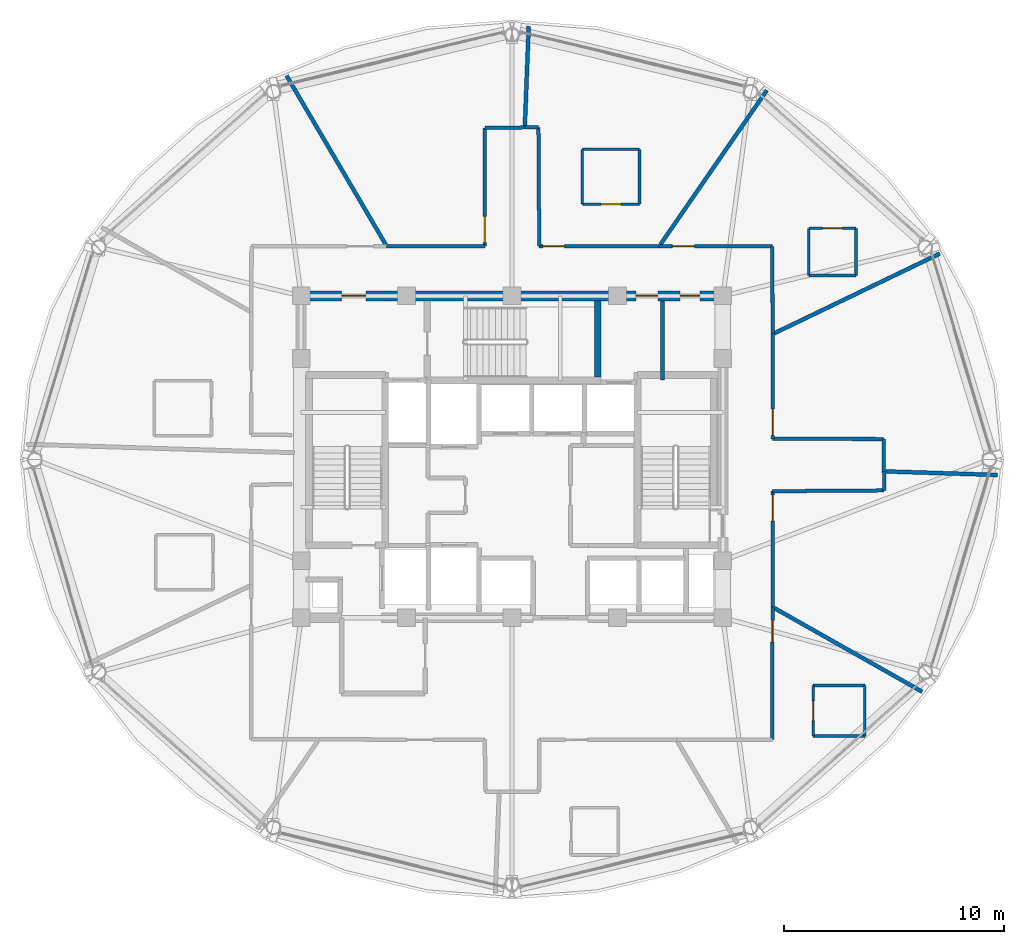
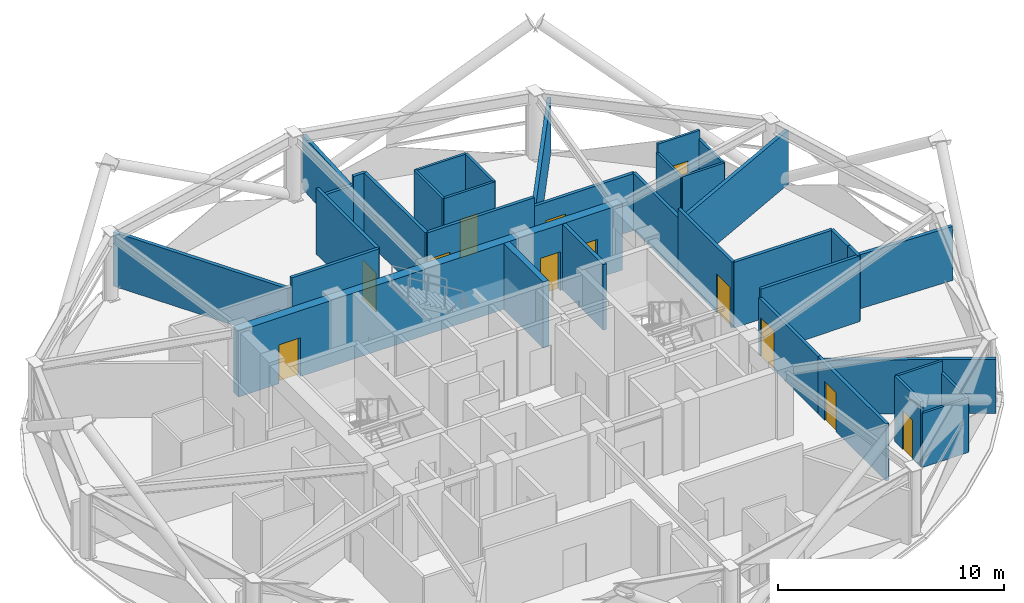
# One storey, part 24 of 29: 36 walls, 12 doors, 12 openings.
"""IFC4 building model written with IfcOpenShell, lengths in metres."""

import ifcopenshell
import ifcopenshell.guid

model = None  # the IFC model being written
_history = None  # IfcOwnerHistory: only IFC2X3 demands one
_inside = {}  # id of a spatial element -> (the spatial element, [elements in it])
_under = {}  # id of a project, library or spatial element -> (it, [spatial elements below it])
_declared = {}  # id of a project -> (the project, [libraries it declares])
_typed = {}  # id of a type object -> (the type object, [elements of that type])
_made_of = {}  # id of a material, layer set ... -> (it, [elements and type objects made of it])


def new_model(schema):
    """Start an empty IFC model of exactly this schema.

    Asked for "IFC4X3", IfcOpenShell would pick the latest addendum, in which some entities
    have other attributes; the version numbers below select the first issue.
    IFC2X3 requires an IfcOwnerHistory on every rooted entity: one is made here for all.
    """
    global model, _history
    if schema == "IFC4X3":
        model = ifcopenshell.file(schema_version=(4, 3, 0, 0))
    else:
        model = ifcopenshell.file(schema=schema)
    _inside.clear()
    _under.clear()
    _declared.clear()
    _typed.clear()
    _made_of.clear()
    _history = None
    if model.schema == "IFC2X3":
        org = make("IfcOrganization", Name="unknown")
        user = make(
            "IfcPersonAndOrganization",
            ThePerson=make("IfcPerson", FamilyName="unknown"),
            TheOrganization=org,
        )
        app = make(
            "IfcApplication",
            ApplicationDeveloper=org,
            Version="unknown",
            ApplicationFullName="unknown",
            ApplicationIdentifier="unknown",
        )
        _history = make(
            "IfcOwnerHistory",
            OwningUser=user,
            OwningApplication=app,
            ChangeAction="ADDED",
            CreationDate=0,
        )
    return model


def make(cls, **values):
    """One entity of the class cls with the attributes given. An attribute that is None is left unset."""
    return model.create_entity(
        cls, **{name: value for name, value in values.items() if value is not None}
    )


def rooted(cls, **values):
    """An entity with a GlobalId (a new one), such as an element, a storey or a relation."""
    return make(cls, GlobalId=ifcopenshell.guid.new(), OwnerHistory=_history, **values)


def si_unit(unit_type, name, prefix=None):
    """IfcSIUnit, for example si_unit("LENGTHUNIT", "METRE", prefix="MILLI")."""
    return make("IfcSIUnit", UnitType=unit_type, Prefix=prefix, Name=name)


def assignment(units):
    """IfcUnitAssignment: the units of a project."""
    return None if units is None else make("IfcUnitAssignment", Units=units)


def point(xyz):
    """IfcCartesianPoint."""
    return None if xyz is None else make("IfcCartesianPoint", Coordinates=xyz)


def direction(xyz):
    """IfcDirection."""
    return None if xyz is None else make("IfcDirection", DirectionRatios=xyz)


def frame(location, z_axis=None, x_axis=None):
    """IfcAxis2Placement3D, a coordinate frame: its origin and axes. An axis left out is left unset."""
    return make(
        "IfcAxis2Placement3D",
        Location=point(location),
        Axis=direction(z_axis),
        RefDirection=direction(x_axis),
    )


def frame_2d(location, x_axis=None):
    """IfcAxis2Placement2D, a coordinate frame in the plane: its origin and x axis."""
    return make(
        "IfcAxis2Placement2D", Location=point(location), RefDirection=direction(x_axis)
    )


def origin():
    """The frame at (0, 0, 0) with its axes left unset."""
    return frame((0.0, 0.0, 0.0))


def place(relative_to, where):
    """IfcLocalPlacement: puts the frame where relative to a parent placement (None: the world)."""
    return make(
        "IfcLocalPlacement", PlacementRelTo=relative_to, RelativePlacement=where
    )


def context(
    kind, dimensions, precision=None, world=None, true_north=None, identifier=None
):
    """IfcGeometricRepresentationContext, for example the 3D "Model" context."""
    return make(
        "IfcGeometricRepresentationContext",
        ContextIdentifier=identifier,
        ContextType=kind,
        CoordinateSpaceDimension=dimensions,
        Precision=precision,
        WorldCoordinateSystem=world,
        TrueNorth=true_north,
    )


def subcontext(parent, identifier, kind, view, scale=None):
    """IfcGeometricRepresentationSubContext, for example "Body" below "Model"."""
    return make(
        "IfcGeometricRepresentationSubContext",
        ContextIdentifier=identifier,
        ContextType=kind,
        ParentContext=parent,
        TargetScale=scale,
        TargetView=view,
    )


def project(units=None, contexts=None):
    """IfcProject with its units and contexts."""
    return rooted(
        "IfcProject",
        Name="project",
        RepresentationContexts=contexts,
        UnitsInContext=assignment(units),
    )


def spatial(cls, under=None, at=None, **own):
    """A site, building, storey or space (cls), placed at a placement, below another one or the project."""
    s = rooted(cls, ObjectPlacement=at, **own)
    if under is not None:
        _under.setdefault(under.id(), (under, []))[1].append(s)
    return s


def profile(cls, at=None, kind="AREA", **sizes):
    """A parametric profile (cls). Its sizes go by their IFC names, for example OverallWidth=200.0."""
    return make(cls, ProfileType=kind, Position=at, **sizes)


def rectangle(**sizes):
    """IfcRectangleProfileDef."""
    return profile("IfcRectangleProfileDef", **sizes)


def extrude(swept, where, along, depth):
    """IfcExtrudedAreaSolid: the profile swept, set in the frame where, extruded along a direction by depth."""
    return make(
        "IfcExtrudedAreaSolid",
        SweptArea=swept,
        Position=where,
        ExtrudedDirection=direction(along),
        Depth=depth,
    )


def shape(context_of_items, identifier, shape_type, items):
    """IfcShapeRepresentation: the items that make up one representation, for example the "Body"."""
    return make(
        "IfcShapeRepresentation",
        ContextOfItems=context_of_items,
        RepresentationIdentifier=identifier,
        RepresentationType=shape_type,
        Items=items,
    )


def material(Name=None, Category=None):
    """IfcMaterial."""
    return make("IfcMaterial", Name=Name, Category=Category)


def layer(
    of_material, thickness, ventilated=None, Name=None, Category=None, Priority=None
):
    """IfcMaterialLayer: one layer of a wall or slab, of a material (None: an air gap)."""
    return make(
        "IfcMaterialLayer",
        Material=of_material,
        LayerThickness=thickness,
        IsVentilated=ventilated,
        Name=Name,
        Category=Category,
        Priority=Priority,
    )


def layer_set(layers, Name=None):
    """IfcMaterialLayerSet."""
    return make("IfcMaterialLayerSet", MaterialLayers=layers, LayerSetName=Name)


def made_of(thing, what):
    """Note that an element or type object is made of a material, layer set ...; save() writes the relation."""
    if what is not None:
        _made_of.setdefault(what.id(), (what, []))[1].append(thing)
    return thing


def type_object(cls, material=None, **own):
    """A type object (cls), such as IfcWallType, which elements share."""
    return made_of(rooted(cls, **own), material)


def element(
    cls,
    number,
    at=None,
    inside=None,
    cuts=None,
    type_object=None,
    material=None,
    context=None,
    identifier="Body",
    shape_type=None,
    held_by="IfcProductDefinitionShape",
    body=None,
    shapes=None,
    **own,
):
    """One element of the class cls, such as IfcWall. Its Tag is "e" and its number.

    at: its placement. inside: the storey or other place that contains it. cuts: it is an
    opening in that element (IfcRelVoidsElement). A single representation is given by context,
    identifier, shape_type and body (its items); several are given by shapes. held_by: the class
    of the entity that holds the representations. save() writes the other relations.
    """
    e = rooted(cls, Tag="e%d" % number, ObjectPlacement=at, **own)
    if body is not None:
        shapes = [shape(context, identifier, shape_type, body)]
    if shapes is not None:
        e.Representation = make(held_by, Representations=shapes)
    if inside is not None:
        _inside.setdefault(inside.id(), (inside, []))[1].append(e)
    if cuts is not None:
        rooted(
            "IfcRelVoidsElement", RelatingBuildingElement=cuts, RelatedOpeningElement=e
        )
    if type_object is not None:
        _typed.setdefault(type_object.id(), (type_object, []))[1].append(e)
    return made_of(e, material)


def fill(opening, filler):
    """IfcRelFillsElement: the door or window that sits in an opening."""
    return rooted(
        "IfcRelFillsElement",
        RelatingOpeningElement=opening,
        RelatedBuildingElement=filler,
    )


def aggregate(whole, parts):
    """IfcRelAggregates: a whole, such as a stair, and the parts it consists of."""
    return rooted("IfcRelAggregates", RelatingObject=whole, RelatedObjects=parts)


def save(model, path):
    """Write the relations noted so far, then the file.

    IfcRelAggregates (storeys below a building ...), IfcRelContainedInSpatialStructure (elements
    in a storey), IfcRelDefinesByType, IfcRelAssociatesMaterial and IfcRelDeclares: one each for
    every whole, place, type object, material and project.
    """
    for whole, parts in _under.values():
        aggregate(whole, parts)
    for where, things in _inside.values():
        rooted(
            "IfcRelContainedInSpatialStructure",
            RelatedElements=things,
            RelatingStructure=where,
        )
    for kind, things in _typed.values():
        rooted("IfcRelDefinesByType", RelatedObjects=things, RelatingType=kind)
    for what, things in _made_of.values():
        rooted("IfcRelAssociatesMaterial", RelatedObjects=things, RelatingMaterial=what)
    for by, libraries in _declared.values():
        rooted("IfcRelDeclares", RelatingContext=by, RelatedDefinitions=libraries)
    model.write(path)


model = new_model("IFC4")

# Units and contexts
model_context = context("Model", 3, precision=1e-05, world=origin(), true_north=direction((0.0, 1.0)))
body_context = subcontext(model_context, "Body", "Model", "MODEL_VIEW")
ifc_project = project(units=[si_unit("LENGTHUNIT", "METRE"), si_unit("AREAUNIT", "SQUARE_METRE"), si_unit("VOLUMEUNIT", "CUBIC_METRE"), si_unit("PLANEANGLEUNIT", "RADIAN"), si_unit("MASSUNIT", "GRAM", prefix="KILO")], contexts=[model_context])

# Site, building, storey
site_placement = place(None, origin())
site = spatial("IfcSite", under=ifc_project, at=site_placement, CompositionType="ELEMENT")
building_placement = place(site_placement, origin())
building = spatial("IfcBuilding", under=site, at=building_placement, Name="Vantalir Tower", CompositionType="ELEMENT")
storey_placement = place(building_placement, frame((0.0, 0.0, 234.89990234375)))
storey = spatial("IfcBuildingStorey", under=building, at=storey_placement, Name="L59", CompositionType="ELEMENT", Elevation=234.89990234375)

# Wall
ifc_material_1 = material(Name="Moisture-resistant en-suite partition", Category="gypsum")
ifc_layer_1 = layer(ifc_material_1, 0.125)
ifc_layer_set_1 = layer_set([ifc_layer_1], Name="Moisture-resistant en-suite partition")
wall_type_1 = type_object("IfcWallType", Name="WL-BATH-125", PredefinedType="PARTITIONING", material=ifc_layer_set_1)
wall_1_placement = place(storey_placement, frame((45.010009765625, 33.376953125, 0.0), z_axis=(0.0, 0.0, 1.0), x_axis=(1.0, 0.0, 0.0)))
element("IfcWall", 1, at=wall_1_placement, inside=storey, type_object=wall_type_1, Name="L59 En-suite 01 South Wall", PredefinedType="PARTITIONING", context=body_context, shape_type="SweptSolid", body=[
    extrude(rectangle(XDim=2.14990234375, YDim=0.125, at=frame_2d((1.074951171875, 0.0))), origin(), (0.0, 0.0, 1.0), 3.0810546875),
])

# Wall, opening, door
wall_2_placement = place(storey_placement, frame((45.010009765625, 35.527099609375, 0.0), z_axis=(0.0, 0.0, 1.0), x_axis=(1.0, 0.0, 0.0)))
wall_2 = element("IfcWall", 2, at=wall_2_placement, inside=storey, type_object=wall_type_1, Name="L59 En-suite 01 North Wall", PredefinedType="PARTITIONING", context=body_context, shape_type="SweptSolid", body=[
    extrude(rectangle(XDim=2.14990234375, YDim=0.125, at=frame_2d((1.074951171875, 0.0))), origin(), (0.0, 0.0, 1.0), 3.550048828125),
])
opening_1_placement = place(wall_2_placement, frame((0.625, 0.0, 0.0)))
opening_1 = element("IfcOpeningElement", 3, at=opening_1_placement, cuts=wall_2, Name="Opening D-WC", PredefinedType="OPENING", context=body_context, shape_type="SweptSolid", body=[
    extrude(rectangle(XDim=0.89990234375, YDim=2.10009765625, at=frame_2d((0.449951171875, 1.050048828125))), frame((0.0, 0.072509765625, 0.0), z_axis=(0.0, -1.0, 0.0), x_axis=(1.0, 0.0, 0.0)), (0.0, 0.0, 1.0), 0.14501953125),
])
ifc_material_2 = material(Name="Moisture-resistant hardwood door", Category="wood")
door_type_1 = type_object("IfcDoorType", Name="DR-ENSUITE-900", OperationType="NOTDEFINED", PredefinedType="DOOR", material=ifc_material_2)
door_1_placement = place(opening_1_placement, frame((0.89990234375, 0.0, 0.0), z_axis=(0.0, 0.0, 1.0), x_axis=(-1.0, 0.0, 0.0)))
door_1 = element("IfcDoor", 4, at=door_1_placement, inside=storey, type_object=door_type_1, Name="L59 En-suite 01 Door", OperationType="SINGLE_SWING_LEFT", OverallHeight=2.10009765625, OverallWidth=0.89990234375, PredefinedType="DOOR", context=body_context, shape_type="SweptSolid", body=[
    extrude(rectangle(XDim=0.89990234375, YDim=2.10009765625, at=frame_2d((0.449951171875, 1.050048828125))), frame((0.0, 0.02490234375, 0.0), z_axis=(0.0, -1.0, 0.0), x_axis=(1.0, 0.0, 0.0)), (0.0, 0.0, 1.0), 0.050048828125),
])
fill(opening_1, door_1)

# Walls
for number, where, z_axis, x_axis, name in (
    (5, (45.010009765625, 33.376953125, 0.0), (0.0, 0.0, 1.0), (0.0, 1.0, 0.0), "L59 En-suite 01 West Wall"),
    (6, (47.159912109375, 33.376953125, 0.0), (0.0, 0.0, 1.0), (0.0, 1.0, 0.0), "L59 En-suite 01 East Wall"),
):
    element("IfcWall", number, at=place(storey_placement, frame(where, z_axis=z_axis, x_axis=x_axis)), inside=storey, type_object=wall_type_1, Name=name, PredefinedType="PARTITIONING", context=body_context, shape_type="SweptSolid", body=[
        extrude(rectangle(XDim=2.150146484375, YDim=0.125, at=frame_2d((1.0751953125, 0.0))), origin(), (0.0, 0.0, 1.0), 3.0810546875),
    ])

# Wall, opening, door
wall_3_placement = place(storey_placement, frame((34.701904296875, 36.623046875, 0.0), z_axis=(0.0, 0.0, 1.0), x_axis=(1.0, 0.0, 0.0)))
wall_3 = element("IfcWall", 7, at=wall_3_placement, inside=storey, type_object=wall_type_1, Name="L59 En-suite 02 South Wall", PredefinedType="PARTITIONING", context=body_context, shape_type="SweptSolid", body=[
    extrude(rectangle(XDim=2.60009765625, YDim=0.125, at=frame_2d((1.300048828125, 0.0))), origin(), (0.0, 0.0, 1.0), 3.550048828125),
])
opening_2_placement = place(wall_3_placement, frame((0.85009765625, 0.0, 0.0)))
opening_2 = element("IfcOpeningElement", 8, at=opening_2_placement, cuts=wall_3, Name="Opening D-WC", PredefinedType="OPENING", context=body_context, shape_type="SweptSolid", body=[
    extrude(rectangle(XDim=0.89990234375, YDim=2.10009765625, at=frame_2d((0.449951171875, 1.050048828125))), frame((0.0, 0.072509765625, 0.0), z_axis=(0.0, -1.0, 0.0), x_axis=(1.0, 0.0, 0.0)), (0.0, 0.0, 1.0), 0.14501953125),
])
door_2_placement = place(opening_2_placement, origin())
door_2 = element("IfcDoor", 9, at=door_2_placement, inside=storey, type_object=door_type_1, Name="L59 En-suite 02 Door", OperationType="SINGLE_SWING_RIGHT", OverallHeight=2.10009765625, OverallWidth=0.89990234375, PredefinedType="DOOR", context=body_context, shape_type="SweptSolid", body=[
    extrude(rectangle(XDim=0.89990234375, YDim=2.10009765625, at=frame_2d((0.449951171875, 1.050048828125))), frame((0.0, 0.02490234375, 0.0), z_axis=(0.0, -1.0, 0.0), x_axis=(1.0, 0.0, 0.0)), (0.0, 0.0, 1.0), 0.050048828125),
])
fill(opening_2, door_2)

# Walls
wall_4_placement = place(storey_placement, frame((34.701904296875, 39.123046875, 0.0), z_axis=(0.0, 0.0, 1.0), x_axis=(1.0, 0.0, 0.0)))
element("IfcWall", 10, at=wall_4_placement, inside=storey, type_object=wall_type_1, Name="L59 En-suite 02 North Wall", PredefinedType="PARTITIONING", context=body_context, shape_type="SweptSolid", body=[
    extrude(rectangle(XDim=2.60009765625, YDim=0.125, at=frame_2d((1.300048828125, 0.0))), origin(), (0.0, 0.0, 1.0), 3.550048828125),
])
for number, where, z_axis, x_axis, name in (
    (11, (34.701904296875, 36.623046875, 0.0), (0.0, 0.0, 1.0), (0.0, 1.0, 0.0), "L59 En-suite 02 West Wall"),
    (12, (37.302001953125, 36.623046875, 0.0), (0.0, 0.0, 1.0), (0.0, 1.0, 0.0), "L59 En-suite 02 East Wall"),
):
    element("IfcWall", number, at=place(storey_placement, frame(where, z_axis=z_axis, x_axis=x_axis)), inside=storey, type_object=wall_type_1, Name=name, PredefinedType="PARTITIONING", context=body_context, shape_type="SweptSolid", body=[
        extrude(rectangle(XDim=2.5, YDim=0.125, at=frame_2d((1.25, 0.0))), origin(), (0.0, 0.0, 1.0), 3.550048828125),
    ])
wall_5_placement = place(storey_placement, frame((45.2060546875, 12.423095703125, 0.0), z_axis=(0.0, 0.0, 1.0), x_axis=(1.0, 0.0, 0.0)))
element("IfcWall", 13, at=wall_5_placement, inside=storey, type_object=wall_type_1, Name="L59 En-suite 10 South Wall", PredefinedType="PARTITIONING", context=body_context, shape_type="SweptSolid", body=[
    extrude(rectangle(XDim=2.349853515625, YDim=0.125, at=frame_2d((1.1748046875, 0.0))), origin(), (0.0, 0.0, 1.0), 2.925048828125),
])
wall_6_placement = place(storey_placement, frame((45.2060546875, 14.722900390625, 0.0), z_axis=(0.0, 0.0, 1.0), x_axis=(1.0, 0.0, 0.0)))
element("IfcWall", 14, at=wall_6_placement, inside=storey, type_object=wall_type_1, Name="L59 En-suite 10 North Wall", PredefinedType="PARTITIONING", context=body_context, shape_type="SweptSolid", body=[
    extrude(rectangle(XDim=2.349853515625, YDim=0.125, at=frame_2d((1.1748046875, 0.0))), origin(), (0.0, 0.0, 1.0), 3.550048828125),
])

# Wall, opening, door
wall_7_placement = place(storey_placement, frame((45.2060546875, 12.423095703125, 0.0), z_axis=(0.0, 0.0, 1.0), x_axis=(0.0, 1.0, 0.0)))
wall_7 = element("IfcWall", 15, at=wall_7_placement, inside=storey, type_object=wall_type_1, Name="L59 En-suite 10 West Wall", PredefinedType="PARTITIONING", context=body_context, shape_type="SweptSolid", body=[
    extrude(rectangle(XDim=2.2998046875, YDim=0.125, at=frame_2d((1.14990234375, 0.0))), origin(), (0.0, 0.0, 1.0), 3.550048828125),
])
opening_3_placement = place(wall_7_placement, frame((0.699951171875, 0.0, 0.0)))
opening_3 = element("IfcOpeningElement", 16, at=opening_3_placement, cuts=wall_7, Name="Opening D-WC", PredefinedType="OPENING", context=body_context, shape_type="SweptSolid", body=[
    extrude(rectangle(XDim=0.89990234375, YDim=2.10009765625, at=frame_2d((0.449951171875, 1.050048828125))), frame((0.0, 0.072509765625, 0.0), z_axis=(0.0, -1.0, 0.0), x_axis=(1.0, 0.0, 0.0)), (0.0, 0.0, 1.0), 0.14501953125),
])
door_3_placement = place(opening_3_placement, frame((0.89990234375, 0.0, 0.0), z_axis=(0.0, 0.0, 1.0), x_axis=(-1.0, 0.0, 0.0)))
door_3 = element("IfcDoor", 17, at=door_3_placement, inside=storey, type_object=door_type_1, Name="L59 En-suite 10 Door", OperationType="SINGLE_SWING_RIGHT", OverallHeight=2.10009765625, OverallWidth=0.89990234375, PredefinedType="DOOR", context=body_context, shape_type="SweptSolid", body=[
    extrude(rectangle(XDim=0.89990234375, YDim=2.10009765625, at=frame_2d((0.449951171875, 1.050048828125))), frame((0.0, 0.02490234375, 0.0), z_axis=(0.0, -1.0, 0.0), x_axis=(1.0, 0.0, 0.0)), (0.0, 0.0, 1.0), 0.050048828125),
])
fill(opening_3, door_3)

# Wall
wall_8_placement = place(storey_placement, frame((47.555908203125, 12.423095703125, 0.0), z_axis=(0.0, 0.0, 1.0), x_axis=(0.0, 1.0, 0.0)))
element("IfcWall", 18, at=wall_8_placement, inside=storey, type_object=wall_type_1, Name="L59 En-suite 10 East Wall", PredefinedType="PARTITIONING", context=body_context, shape_type="SweptSolid", body=[
    extrude(rectangle(XDim=2.2998046875, YDim=0.125, at=frame_2d((1.14990234375, 0.0))), origin(), (0.0, 0.0, 1.0), 2.925048828125),
])

# Wall, openings, doors
ifc_material_3 = material(Name="Concrete C50/60", Category="concrete")
ifc_layer_2 = layer(ifc_material_3, 0.449951171875)
ifc_layer_set_2 = layer_set([ifc_layer_2], Name="Concrete C50/60")
wall_type_2 = type_object("IfcWallType", Name="WL-CORE-450", PredefinedType="SHEAR", material=ifc_layer_set_2)
wall_9_placement = place(storey_placement, frame((21.675048828125, 32.449951171875, 0.0), z_axis=(0.0, 0.0, 1.0), x_axis=(1.0, 0.0, 0.0)))
wall_9 = element("IfcWall", 19, at=wall_9_placement, inside=storey, type_object=wall_type_2, Name="L59 Core Shear Wall North", PredefinedType="SHEAR", context=body_context, shape_type="SweptSolid", body=[
    extrude(rectangle(XDim=19.64990234375, YDim=0.449951171875, at=frame_2d((9.824951171875, 0.0))), origin(), (0.0, 0.0, 1.0), 3.570068359375),
])
opening_4_placement = place(wall_9_placement, frame((2.074951171875, 0.0, 0.0)))
opening_4 = element("IfcOpeningElement", 20, at=opening_4_placement, cuts=wall_9, Name="Opening D-FFL", PredefinedType="OPENING", context=body_context, shape_type="SweptSolid", body=[
    extrude(rectangle(XDim=1.10009765625, YDim=2.10009765625, at=frame_2d((0.550048828125, 1.050048828125))), frame((0.0, 0.23486328125, 0.0), z_axis=(0.0, -1.0, 0.0), x_axis=(1.0, 0.0, 0.0)), (0.0, 0.0, 1.0), 0.469970703125),
])
opening_5_placement = place(wall_9_placement, frame((15.465087890625, 0.0, 0.0)))
opening_5 = element("IfcOpeningElement", 21, at=opening_5_placement, cuts=wall_9, Name="Opening D-GUEST", PredefinedType="OPENING", context=body_context, shape_type="SweptSolid", body=[
    extrude(rectangle(XDim=1.0, YDim=2.10009765625, at=frame_2d((0.5, 1.050048828125))), frame((0.0, 0.23486328125, 0.0), z_axis=(0.0, -1.0, 0.0), x_axis=(1.0, 0.0, 0.0)), (0.0, 0.0, 1.0), 0.469970703125),
])
opening_6_placement = place(wall_9_placement, frame((17.47509765625, 0.0, 0.0)))
opening_6 = element("IfcOpeningElement", 22, at=opening_6_placement, cuts=wall_9, Name="Opening D-CR", PredefinedType="OPENING", context=body_context, shape_type="SweptSolid", body=[
    extrude(rectangle(XDim=0.89990234375, YDim=2.10009765625, at=frame_2d((0.449951171875, 1.050048828125))), frame((0.0, 0.23486328125, 0.0), z_axis=(0.0, -1.0, 0.0), x_axis=(1.0, 0.0, 0.0)), (0.0, 0.0, 1.0), 0.469970703125),
])
ifc_material_4 = material(Name="Fire-rated steel core service door", Category="steel")
door_type_2 = type_object("IfcDoorType", Name="DR-CORE-SERV-900", OperationType="NOTDEFINED", PredefinedType="DOOR", material=ifc_material_4)
door_4_placement = place(opening_6_placement, frame((0.89990234375, 0.0, 0.0), z_axis=(0.0, 0.0, 1.0), x_axis=(-1.0, 0.0, 0.0)))
door_4 = element("IfcDoor", 23, at=door_4_placement, inside=storey, type_object=door_type_2, Name="L59 Housekeeping and Linen Room Door", OperationType="SINGLE_SWING_RIGHT", OverallHeight=2.10009765625, OverallWidth=0.89990234375, PredefinedType="DOOR", context=body_context, shape_type="SweptSolid", body=[
    extrude(rectangle(XDim=0.89990234375, YDim=2.10009765625, at=frame_2d((0.449951171875, 1.050048828125))), frame((0.0, 0.02490234375, 0.0), z_axis=(0.0, -1.0, 0.0), x_axis=(1.0, 0.0, 0.0)), (0.0, 0.0, 1.0), 0.050048828125),
])
fill(opening_6, door_4)
ifc_material_5 = material(Name="Fire-rated acoustic steel door", Category="steel")
door_type_3 = type_object("IfcDoorType", Name="DR-FIRE-LOBBY-1100", OperationType="NOTDEFINED", PredefinedType="DOOR", material=ifc_material_5)
door_5_placement = place(opening_4_placement, frame((1.10009765625, 0.0, 0.0), z_axis=(0.0, 0.0, 1.0), x_axis=(-1.0, 0.0, 0.0)))
door_5 = element("IfcDoor", 24, at=door_5_placement, inside=storey, type_object=door_type_3, Name="L59 Firefighting Lobby East Access Door", OperationType="SINGLE_SWING_LEFT", OverallHeight=2.10009765625, OverallWidth=1.10009765625, PredefinedType="DOOR", context=body_context, shape_type="SweptSolid", body=[
    extrude(rectangle(XDim=1.10009765625, YDim=2.10009765625, at=frame_2d((0.550048828125, 1.050048828125))), frame((0.0, 0.02490234375, 0.0), z_axis=(0.0, -1.0, 0.0), x_axis=(1.0, 0.0, 0.0)), (0.0, 0.0, 1.0), 0.050048828125),
])
fill(opening_4, door_5)
ifc_material_6 = material(Name="Solid-core teak veneer acoustic fire door", Category="wood")
door_type_4 = type_object("IfcDoorType", Name="DR-GUEST-ENTRY-1000", OperationType="NOTDEFINED", PredefinedType="DOOR", material=ifc_material_6)
door_6_placement = place(opening_5_placement, frame((1.0, 0.0, 0.0), z_axis=(0.0, 0.0, 1.0), x_axis=(-1.0, 0.0, 0.0)))
door_6 = element("IfcDoor", 25, at=door_6_placement, inside=storey, type_object=door_type_4, Name="L59 High-Rise Lift Lobby Door", OperationType="SINGLE_SWING_LEFT", OverallHeight=2.10009765625, OverallWidth=1.0, PredefinedType="DOOR", context=body_context, shape_type="SweptSolid", body=[
    extrude(rectangle(XDim=1.0, YDim=2.10009765625, at=frame_2d((0.5, 1.050048828125))), frame((0.0, 0.02490234375, 0.0), z_axis=(0.0, -1.0, 0.0), x_axis=(1.0, 0.0, 0.0)), (0.0, 0.0, 1.0), 0.050048828125),
])
fill(opening_5, door_6)

# Wall
ifc_material_7 = material(Name="Fire-rated hotel corridor acoustic partition", Category="gypsum")
ifc_layer_3 = layer(ifc_material_7, 0.159912109375)
ifc_layer_set_3 = layer_set([ifc_layer_3], Name="Fire-rated hotel corridor acoustic partition")
wall_type_3 = type_object("IfcWallType", Name="WL-CORR-160", PredefinedType="PARTITIONING", material=ifc_layer_set_3)
wall_10_placement = place(storey_placement, frame((25.799072265625, 34.708984375, 0.0), z_axis=(0.0, 0.0, 1.0), x_axis=(0.999999063997, 0.00136821238, 0.0)))
element("IfcWall", 26, at=wall_10_placement, inside=storey, type_object=wall_type_3, Name="L59 Corridor Partition 05", PredefinedType="PARTITIONING", context=body_context, shape_type="SweptSolid", body=[
    extrude(rectangle(XDim=4.4609375, YDim=0.159912109375, at=frame_2d((2.23046875, 0.0))), origin(), (0.0, 0.0, 1.0), 3.550048828125),
])

# Wall, opening, door
wall_11_placement = place(storey_placement, frame((30.260009765625, 34.715087890625, 0.0), z_axis=(0.0, 0.0, 1.0), x_axis=(0.000544266973, 0.999999851887, 0.0)))
wall_11 = element("IfcWall", 27, at=wall_11_placement, inside=storey, type_object=wall_type_3, Name="L59 Corridor Partition 06", PredefinedType="PARTITIONING", context=body_context, shape_type="SweptSolid", body=[
    extrude(rectangle(XDim=5.3828125, YDim=0.159912109375, at=frame_2d((2.69140625, 0.0))), origin(), (0.0, 0.0, 1.0), 3.550048828125),
])
opening_7_placement = place(wall_11_placement, frame((0.159912109375, 0.0, 0.0)))
opening_7 = element("IfcOpeningElement", 28, at=opening_7_placement, cuts=wall_11, Name="Opening D-STE", PredefinedType="OPENING", context=body_context, shape_type="SweptSolid", body=[
    extrude(rectangle(XDim=1.199951171875, YDim=2.10009765625, at=frame_2d((0.60009765625, 1.050048828125))), frame((0.0, 0.08984375, 0.0), z_axis=(0.0, -1.0, 0.0), x_axis=(1.0, 0.0, 0.0)), (0.0, 0.0, 1.0), 0.179931640625),
])
ifc_material_8 = material(Name="Solid-core teak veneer suite entrance door", Category="wood")
door_type_5 = type_object("IfcDoorType", Name="DR-SUITE-ENTRY-1200", OperationType="NOTDEFINED", PredefinedType="DOOR", material=ifc_material_8)
door_7_placement = place(opening_7_placement, origin())
door_7 = element("IfcDoor", 29, at=door_7_placement, inside=storey, type_object=door_type_5, Name="L59 Club Reading Lounge 03 Door", OperationType="SINGLE_SWING_LEFT", OverallHeight=2.10009765625, OverallWidth=1.199951171875, PredefinedType="DOOR", context=body_context, shape_type="SweptSolid", body=[
    extrude(rectangle(XDim=1.199951171875, YDim=2.10009765625, at=frame_2d((0.60009765625, 1.050048828125))), frame((0.0, 0.02490234375, 0.0), z_axis=(0.0, -1.0, 0.0), x_axis=(1.0, 0.0, 0.0)), (0.0, 0.0, 1.0), 0.050048828125),
])
fill(opening_7, door_7)

# Walls
wall_12_placement = place(storey_placement, frame((30.262939453125, 40.097900390625, 0.0), z_axis=(0.0, 0.0, 1.0), x_axis=(0.999945269646, 0.010462204028, 0.0)))
element("IfcWall", 30, at=wall_12_placement, inside=storey, type_object=wall_type_3, Name="L59 Corridor Partition 07", PredefinedType="PARTITIONING", context=body_context, shape_type="SweptSolid", body=[
    extrude(rectangle(XDim=1.820068359375, YDim=0.159912109375, at=frame_2d((0.91015625, 0.0))), origin(), (0.0, 0.0, 1.0), 3.0810546875),
])
wall_13_placement = place(storey_placement, frame((32.0830078125, 40.116943359375, 0.0), z_axis=(0.0, 0.0, 1.0), x_axis=(0.9999517181, 0.009826569557, 0.0)))
element("IfcWall", 31, at=wall_13_placement, inside=storey, type_object=wall_type_3, Name="L59 Corridor Partition 08", PredefinedType="PARTITIONING", context=body_context, shape_type="SweptSolid", body=[
    extrude(rectangle(XDim=0.62109375, YDim=0.159912109375, at=frame_2d((0.310546875, 0.0))), origin(), (0.0, 0.0, 1.0), 3.550048828125),
])
wall_14_placement = place(storey_placement, frame((32.7041015625, 40.123046875, 0.0), z_axis=(0.0, 0.0, 1.0), x_axis=(0.006636123117, -0.999977980693, 0.0)))
element("IfcWall", 32, at=wall_14_placement, inside=storey, type_object=wall_type_3, Name="L59 Corridor Partition 09", PredefinedType="PARTITIONING", context=body_context, shape_type="SweptSolid", body=[
    extrude(rectangle(XDim=5.407958984375, YDim=0.159912109375, at=frame_2d((2.7041015625, 0.0))), origin(), (0.0, 0.0, 1.0), 3.550048828125),
])

# Wall, opening, door
wall_15_placement = place(storey_placement, frame((32.739990234375, 34.715087890625, 0.0), z_axis=(0.0, 0.0, 1.0), x_axis=(0.999999374963, -0.00111806728, 0.0)))
wall_15 = element("IfcWall", 33, at=wall_15_placement, inside=storey, type_object=wall_type_3, Name="L59 Corridor Partition 10", PredefinedType="PARTITIONING", context=body_context, shape_type="SweptSolid", body=[
    extrude(rectangle(XDim=5.458984375, YDim=0.159912109375, at=frame_2d((2.7294921875, 0.0))), origin(), (0.0, 0.0, 1.0), 3.550048828125),
])
opening_8_placement = place(wall_15_placement, frame((0.159912109375, 0.0, 0.0)))
opening_8 = element("IfcOpeningElement", 34, at=opening_8_placement, cuts=wall_15, Name="Opening D-GUEST", PredefinedType="OPENING", context=body_context, shape_type="SweptSolid", body=[
    extrude(rectangle(XDim=1.0, YDim=2.10009765625, at=frame_2d((0.5, 1.050048828125))), frame((0.0, 0.08984375, 0.0), z_axis=(0.0, -1.0, 0.0), x_axis=(1.0, 0.0, 0.0)), (0.0, 0.0, 1.0), 0.179931640625),
])
door_8_placement = place(opening_8_placement, origin())
door_8 = element("IfcDoor", 35, at=door_8_placement, inside=storey, type_object=door_type_4, Name="L59 Deluxe King Hotel Room 02 Door", OperationType="SINGLE_SWING_RIGHT", OverallHeight=2.10009765625, OverallWidth=1.0, PredefinedType="DOOR", context=body_context, shape_type="SweptSolid", body=[
    extrude(rectangle(XDim=1.0, YDim=2.10009765625, at=frame_2d((0.5, 1.050048828125))), frame((0.0, 0.02490234375, 0.0), z_axis=(0.0, -1.0, 0.0), x_axis=(1.0, 0.0, 0.0)), (0.0, 0.0, 1.0), 0.050048828125),
])
fill(opening_8, door_8)

wall_16_placement = place(storey_placement, frame((38.198974609375, 34.708984375, 0.0), z_axis=(0.0, 0.0, 1.0), x_axis=(0.999999298816, -0.001184215929, 0.0)))
wall_16 = element("IfcWall", 36, at=wall_16_placement, inside=storey, type_object=wall_type_3, Name="L59 Corridor Partition 11", PredefinedType="PARTITIONING", context=body_context, shape_type="SweptSolid", body=[
    extrude(rectangle(XDim=5.154052734375, YDim=0.159912109375, at=frame_2d((2.5771484375, 0.0))), origin(), (0.0, 0.0, 1.0), 3.0810546875),
])
opening_9_placement = place(wall_16_placement, frame((0.60205078125, 0.0, 0.0)))
opening_9 = element("IfcOpeningElement", 37, at=opening_9_placement, cuts=wall_16, Name="Opening D-GUEST", PredefinedType="OPENING", context=body_context, shape_type="SweptSolid", body=[
    extrude(rectangle(XDim=1.0, YDim=2.10009765625, at=frame_2d((0.5, 1.050048828125))), frame((0.0, 0.08984375, 0.0), z_axis=(0.0, -1.0, 0.0), x_axis=(1.0, 0.0, 0.0)), (0.0, 0.0, 1.0), 0.179931640625),
])
door_9_placement = place(opening_9_placement, origin())
door_9 = element("IfcDoor", 38, at=door_9_placement, inside=storey, type_object=door_type_4, Name="L59 Twin Queen Hotel Room 01 Door", OperationType="SINGLE_SWING_LEFT", OverallHeight=2.10009765625, OverallWidth=1.0, PredefinedType="DOOR", context=body_context, shape_type="SweptSolid", body=[
    extrude(rectangle(XDim=1.0, YDim=2.10009765625, at=frame_2d((0.5, 1.050048828125))), frame((0.0, 0.02490234375, 0.0), z_axis=(0.0, -1.0, 0.0), x_axis=(1.0, 0.0, 0.0)), (0.0, 0.0, 1.0), 0.050048828125),
])
fill(opening_9, door_9)

# Wall
wall_17_placement = place(storey_placement, frame((43.35302734375, 34.702880859375, 0.0), z_axis=(0.0, 0.0, 1.0), x_axis=(0.00146743957, -0.99999892331, 0.0)))
element("IfcWall", 39, at=wall_17_placement, inside=storey, type_object=wall_type_3, Name="L59 Corridor Partition 12", PredefinedType="PARTITIONING", context=body_context, shape_type="SweptSolid", body=[
    extrude(rectangle(XDim=3.992919921875, YDim=0.159912109375, at=frame_2d((1.99658203125, 0.0))), origin(), (0.0, 0.0, 1.0), 3.0810546875),
])

# Wall, opening, door
wall_18_placement = place(storey_placement, frame((43.35888671875, 30.7099609375, 0.0), z_axis=(0.0, 0.0, 1.0), x_axis=(0.001279556737, -0.999999181367, 0.0)))
wall_18 = element("IfcWall", 40, at=wall_18_placement, inside=storey, type_object=wall_type_3, Name="L59 Corridor Partition 13", PredefinedType="PARTITIONING", context=body_context, shape_type="SweptSolid", body=[
    extrude(rectangle(XDim=4.77001953125, YDim=0.159912109375, at=frame_2d((2.385009765625, 0.0))), origin(), (0.0, 0.0, 1.0), 3.550048828125),
])
opening_10_placement = place(wall_18_placement, frame((3.409912109375, 0.0, 0.0)))
opening_10 = element("IfcOpeningElement", 41, at=opening_10_placement, cuts=wall_18, Name="Opening D-STE", PredefinedType="OPENING", context=body_context, shape_type="SweptSolid", body=[
    extrude(rectangle(XDim=1.199951171875, YDim=2.10009765625, at=frame_2d((0.60009765625, 1.050048828125))), frame((0.0, 0.08984375, 0.0), z_axis=(0.0, -1.0, 0.0), x_axis=(1.0, 0.0, 0.0)), (0.0, 0.0, 1.0), 0.179931640625),
])
door_10_placement = place(opening_10_placement, origin())
door_10 = element("IfcDoor", 42, at=door_10_placement, inside=storey, type_object=door_type_5, Name="L59 Executive Sky Boardroom 12 Door", OperationType="SINGLE_SWING_RIGHT", OverallHeight=2.10009765625, OverallWidth=1.199951171875, PredefinedType="DOOR", context=body_context, shape_type="SweptSolid", body=[
    extrude(rectangle(XDim=1.199951171875, YDim=2.10009765625, at=frame_2d((0.60009765625, 1.050048828125))), frame((0.0, 0.02490234375, 0.0), z_axis=(0.0, -1.0, 0.0), x_axis=(1.0, 0.0, 0.0)), (0.0, 0.0, 1.0), 0.050048828125),
])
fill(opening_10, door_10)

# Walls
wall_19_placement = place(storey_placement, frame((43.364990234375, 25.93994140625, 0.0), z_axis=(0.0, 0.0, 1.0), x_axis=(0.999999831724, -0.000580130432, 0.0)))
element("IfcWall", 43, at=wall_19_placement, inside=storey, type_object=wall_type_3, Name="L59 Corridor Partition 14", PredefinedType="PARTITIONING", context=body_context, shape_type="SweptSolid", body=[
    extrude(rectangle(XDim=5.050048828125, YDim=0.159912109375, at=frame_2d((2.52490234375, 0.0))), origin(), (0.0, 0.0, 1.0), 3.550048828125),
])
wall_20_placement = place(storey_placement, frame((48.4150390625, 25.93701171875, 0.0), z_axis=(0.0, 0.0, 1.0), x_axis=(0.010773450639, -0.999941964697, 0.0)))
element("IfcWall", 44, at=wall_20_placement, inside=storey, type_object=wall_type_3, Name="L59 Corridor Partition 15", PredefinedType="PARTITIONING", context=body_context, shape_type="SweptSolid", body=[
    extrude(rectangle(XDim=1.472900390625, YDim=0.159912109375, at=frame_2d((0.736328125, 0.0))), origin(), (0.0, 0.0, 1.0), 3.550048828125),
])
wall_21_placement = place(storey_placement, frame((48.430908203125, 24.464111328125, 0.0), z_axis=(0.0, 0.0, 1.0), x_axis=(0.010404386192, -0.999945872909, 0.0)))
element("IfcWall", 45, at=wall_21_placement, inside=storey, type_object=wall_type_3, Name="L59 Corridor Partition 16", PredefinedType="PARTITIONING", context=body_context, shape_type="SweptSolid", body=[
    extrude(rectangle(XDim=0.8681640625, YDim=0.159912109375, at=frame_2d((0.43408203125, 0.0))), origin(), (0.0, 0.0, 1.0), 3.550048828125),
])
wall_22_placement = place(storey_placement, frame((48.43994140625, 23.595947265625, 0.0), z_axis=(0.0, 0.0, 1.0), x_axis=(-0.999974996273, -0.007071550702, 0.0)))
element("IfcWall", 46, at=wall_22_placement, inside=storey, type_object=wall_type_3, Name="L59 Corridor Partition 17", PredefinedType="PARTITIONING", context=body_context, shape_type="SweptSolid", body=[
    extrude(rectangle(XDim=5.0751953125, YDim=0.159912109375, at=frame_2d((2.53759765625, 0.0))), origin(), (0.0, 0.0, 1.0), 3.550048828125),
])

# Wall, opening, door
wall_23_placement = place(storey_placement, frame((43.364990234375, 23.56005859375, 0.0), z_axis=(0.0, 0.0, 1.0), x_axis=(-0.001343462143, -0.999999097554, 0.0)))
wall_23 = element("IfcWall", 47, at=wall_23_placement, inside=storey, type_object=wall_type_3, Name="L59 Corridor Partition 18", PredefinedType="PARTITIONING", context=body_context, shape_type="SweptSolid", body=[
    extrude(rectangle(XDim=5.27001953125, YDim=0.159912109375, at=frame_2d((2.635009765625, 0.0))), origin(), (0.0, 0.0, 1.0), 3.0810546875),
])
opening_11_placement = place(wall_23_placement, frame((0.159912109375, 0.0, 0.0)))
opening_11 = element("IfcOpeningElement", 48, at=opening_11_placement, cuts=wall_23, Name="Opening D-STE", PredefinedType="OPENING", context=body_context, shape_type="SweptSolid", body=[
    extrude(rectangle(XDim=1.199951171875, YDim=2.10009765625, at=frame_2d((0.60009765625, 1.050048828125))), frame((0.0, 0.08984375, 0.0), z_axis=(0.0, -1.0, 0.0), x_axis=(1.0, 0.0, 0.0)), (0.0, 0.0, 1.0), 0.179931640625),
])
door_11_placement = place(opening_11_placement, origin())
door_11 = element("IfcDoor", 49, at=door_11_placement, inside=storey, type_object=door_type_5, Name="L59 Club Reading Lounge 11 Door", OperationType="SINGLE_SWING_LEFT", OverallHeight=2.10009765625, OverallWidth=1.199951171875, PredefinedType="DOOR", context=body_context, shape_type="SweptSolid", body=[
    extrude(rectangle(XDim=1.199951171875, YDim=2.10009765625, at=frame_2d((0.60009765625, 1.050048828125))), frame((0.0, 0.02490234375, 0.0), z_axis=(0.0, -1.0, 0.0), x_axis=(1.0, 0.0, 0.0)), (0.0, 0.0, 1.0), 0.050048828125),
])
fill(opening_11, door_11)

wall_24_placement = place(storey_placement, frame((43.35791015625, 18.2900390625, 0.0), z_axis=(0.0, 0.0, 1.0), x_axis=(-0.001295388137, -0.999999160984, 0.0)))
wall_24 = element("IfcWall", 50, at=wall_24_placement, inside=storey, type_object=wall_type_3, Name="L59 Corridor Partition 19", PredefinedType="PARTITIONING", context=body_context, shape_type="SweptSolid", body=[
    extrude(rectangle(XDim=6.031005859375, YDim=0.159912109375, at=frame_2d((3.015625, 0.0))), origin(), (0.0, 0.0, 1.0), 3.0810546875),
])
opening_12_placement = place(wall_24_placement, frame((0.60205078125, 0.0, 0.0)))
opening_12 = element("IfcOpeningElement", 51, at=opening_12_placement, cuts=wall_24, Name="Opening D-GUEST", PredefinedType="OPENING", context=body_context, shape_type="SweptSolid", body=[
    extrude(rectangle(XDim=1.0, YDim=2.10009765625, at=frame_2d((0.5, 1.050048828125))), frame((0.0, 0.08984375, 0.0), z_axis=(0.0, -1.0, 0.0), x_axis=(1.0, 0.0, 0.0)), (0.0, 0.0, 1.0), 0.179931640625),
])
door_12_placement = place(opening_12_placement, origin())
door_12 = element("IfcDoor", 52, at=door_12_placement, inside=storey, type_object=door_type_4, Name="L59 Deluxe King Hotel Room 10 Door", OperationType="SINGLE_SWING_RIGHT", OverallHeight=2.10009765625, OverallWidth=1.0, PredefinedType="DOOR", context=body_context, shape_type="SweptSolid", body=[
    extrude(rectangle(XDim=1.0, YDim=2.10009765625, at=frame_2d((0.5, 1.050048828125))), frame((0.0, 0.02490234375, 0.0), z_axis=(0.0, -1.0, 0.0), x_axis=(1.0, 0.0, 0.0)), (0.0, 0.0, 1.0), 0.050048828125),
])
fill(opening_12, door_12)

# Walls
ifc_material_9 = material(Name="Twin-stud acoustic fire-rated gypsum partition", Category="gypsum")
ifc_layer_4 = layer(ifc_material_9, 0.179931640625)
ifc_layer_set_4 = layer_set([ifc_layer_4], Name="Twin-stud acoustic fire-rated gypsum partition")
wall_type_4 = type_object("IfcWallType", Name="WL-GUEST-180", PredefinedType="PARTITIONING", material=ifc_layer_set_4)
wall_25_placement = place(storey_placement, frame((38.340087890625, 28.6201171875, 0.0), z_axis=(0.0, 0.0, 1.0), x_axis=(0.0, 1.0, 0.0)))
element("IfcWall", 53, at=wall_25_placement, inside=storey, type_object=wall_type_4, Name="L59 High-Rise Lift Lobby East Wall", PredefinedType="PARTITIONING", context=body_context, shape_type="SweptSolid", body=[
    extrude(rectangle(XDim=3.60498046875, YDim=0.179931640625, at=frame_2d((1.802490234375, 0.0))), origin(), (0.0, 0.0, 1.0), 3.550048828125),
])
wall_26_placement = place(storey_placement, frame((43.43994140625, 30.75, 0.0), z_axis=(0.0, 0.0, 1.0), x_axis=(0.901030010269, 0.433756752795, 0.0)))
element("IfcWall", 54, at=wall_26_placement, inside=storey, type_object=wall_type_4, Name="L59 Radial Suite Partition 01", PredefinedType="PARTITIONING", context=body_context, shape_type="SweptSolid", body=[
    extrude(rectangle(XDim=8.35498046875, YDim=0.179931640625, at=frame_2d((4.177490234375, 0.0))), origin(), (0.0, 0.0, 1.0), 2.925048828125),
])
wall_27_placement = place(storey_placement, frame((38.2548828125, 34.7900390625, 0.0), z_axis=(0.0, 0.0, 1.0), x_axis=(0.567959020811, 0.823056833202, 0.0)))
element("IfcWall", 55, at=wall_27_placement, inside=storey, type_object=wall_type_4, Name="L59 Radial Suite Partition 02", PredefinedType="PARTITIONING", context=body_context, shape_type="SweptSolid", body=[
    extrude(rectangle(XDim=8.529296875, YDim=0.179931640625, at=frame_2d((4.2646484375, 0.0))), origin(), (0.0, 0.0, 1.0), 2.925048828125),
])
wall_28_placement = place(storey_placement, frame((32.0859375, 40.197998046875, 0.0), z_axis=(0.0, 0.0, 1.0), x_axis=(0.038656743146, 0.999252548763, 0.0)))
element("IfcWall", 56, at=wall_28_placement, inside=storey, type_object=wall_type_4, Name="L59 Radial Suite Partition 03", PredefinedType="PARTITIONING", context=body_context, shape_type="SweptSolid", body=[
    extrude(rectangle(XDim=4.5283203125, YDim=0.179931640625, at=frame_2d((2.26416015625, 0.0))), origin(), (0.0, 0.0, 1.0), 2.925048828125),
])
wall_29_placement = place(storey_placement, frame((25.751953125, 34.7900390625, 0.0), z_axis=(0.0, 0.0, 1.0), x_axis=(-0.50634586345, 0.8623304857, 0.0)))
element("IfcWall", 57, at=wall_29_placement, inside=storey, type_object=wall_type_4, Name="L59 Radial Suite Partition 04", PredefinedType="PARTITIONING", context=body_context, shape_type="SweptSolid", body=[
    extrude(rectangle(XDim=8.910888671875, YDim=0.179931640625, at=frame_2d((4.45556640625, 0.0))), origin(), (0.0, 0.0, 1.0), 2.925048828125),
])
wall_30_placement = place(storey_placement, frame((43.43994140625, 18.242919921875, 0.0), z_axis=(0.0, 0.0, 1.0), x_axis=(0.870312783113, -0.492499400559, 0.0)))
element("IfcWall", 58, at=wall_30_placement, inside=storey, type_object=wall_type_4, Name="L59 Radial Suite Partition 11", PredefinedType="PARTITIONING", context=body_context, shape_type="SweptSolid", body=[
    extrude(rectangle(XDim=7.731689453125, YDim=0.179931640625, at=frame_2d((3.86572265625, 0.0))), origin(), (0.0, 0.0, 1.0), 2.925048828125),
])
wall_31_placement = place(storey_placement, frame((48.514892578125, 24.4619140625, 0.0), z_axis=(0.0, 0.0, 1.0), x_axis=(0.99949968354, -0.03162882552, 0.0)))
element("IfcWall", 59, at=wall_31_placement, inside=storey, type_object=wall_type_4, Name="L59 Radial Suite Partition 12", PredefinedType="PARTITIONING", context=body_context, shape_type="SweptSolid", body=[
    extrude(rectangle(XDim=5.086669921875, YDim=0.179931640625, at=frame_2d((2.54345703125, 0.0))), origin(), (0.0, 0.0, 1.0), 2.925048828125),
])
ifc_layer_5 = layer(ifc_material_3, 0.300048828125)
ifc_layer_set_5 = layer_set([ifc_layer_5], Name="Concrete C50/60")
wall_type_5 = type_object("IfcWallType", Name="WL-STAIR-300", PredefinedType="SHEAR", material=ifc_layer_set_5)
wall_32_placement = place(storey_placement, frame((35.39990234375, 28.75, 0.0), z_axis=(0.0, 0.0, 1.0), x_axis=(0.0, 1.0, 0.0)))
element("IfcWall", 60, at=wall_32_placement, inside=storey, type_object=wall_type_5, Name="L59 Stair ST3 East Wall", PredefinedType="SHEAR", context=body_context, shape_type="SweptSolid", body=[
    extrude(rectangle(XDim=3.47509765625, YDim=0.300048828125, at=frame_2d((1.737548828125, 0.0))), origin(), (0.0, 0.0, 1.0), 3.570068359375),
])

save(model, "model.ifc")
